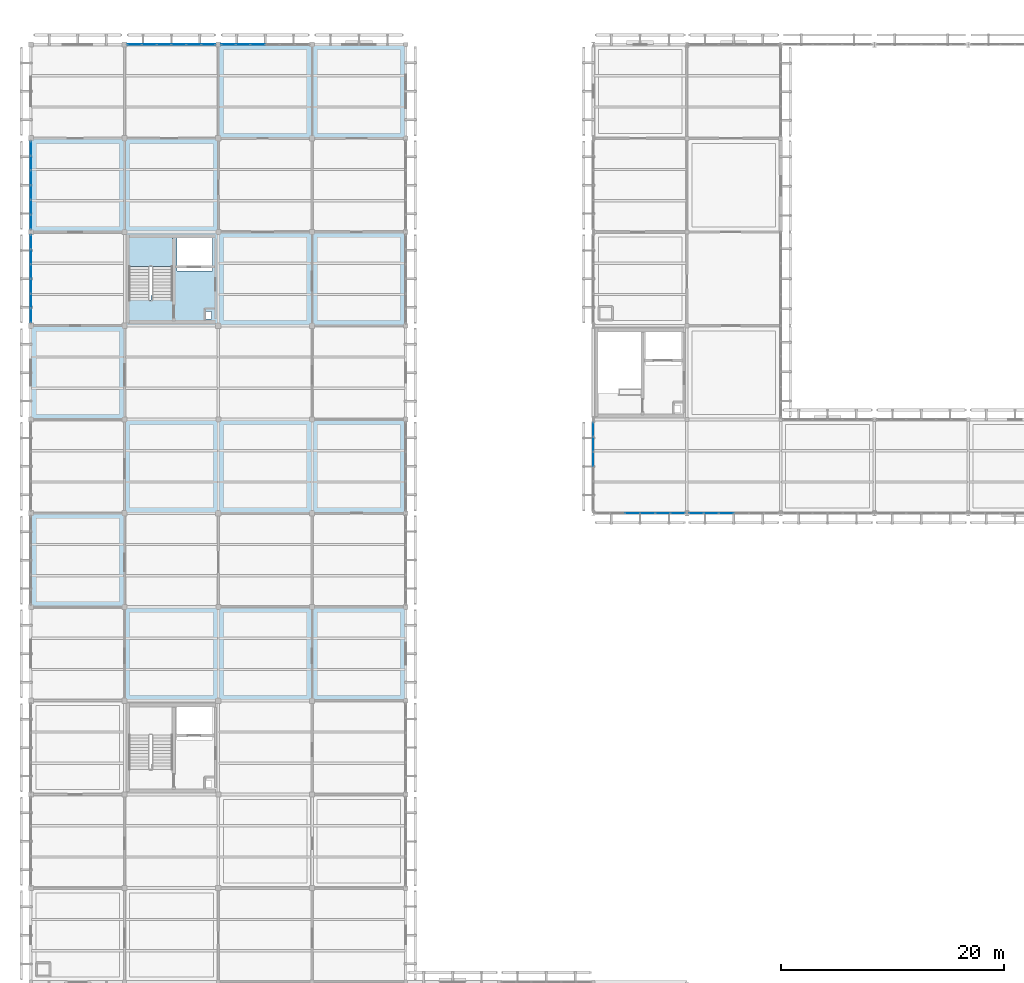
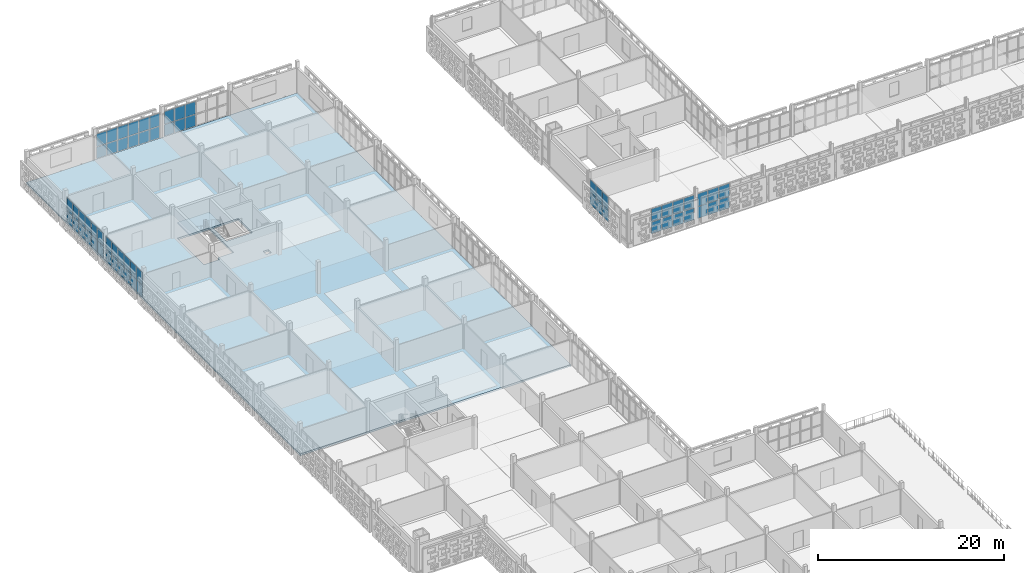
# One storey, part 74 of 140: 62 plates, 2 slabs, 8 elements without a shape of their own.
"""IFC4 building model written with IfcOpenShell, lengths in metres."""

from ifc_helpers import new_model, si_unit, direction, frame, origin, origin_2d, place, context, subcontext, project, spatial, polyline, rectangle, outline, extrude, material, layer, layer_set, type_object, element, aggregate, save


model = new_model("IFC4")

# Units and contexts
model_context = context("Model", 3, precision=1e-05, world=origin(), true_north=direction((0.0, 1.0)))
body_context = subcontext(model_context, "Body", "Model", "MODEL_VIEW")
ifc_project = project(units=[si_unit("LENGTHUNIT", "METRE"), si_unit("AREAUNIT", "SQUARE_METRE"), si_unit("VOLUMEUNIT", "CUBIC_METRE"), si_unit("PLANEANGLEUNIT", "RADIAN"), si_unit("MASSUNIT", "GRAM", prefix="KILO")], contexts=[model_context])

# Site, building, storey
site_placement = place(None, origin())
site = spatial("IfcSite", under=ifc_project, at=site_placement, CompositionType="ELEMENT")
building_placement = place(site_placement, origin())
building = spatial("IfcBuilding", under=site, at=building_placement, Name="Varnapada Polytechnic", CompositionType="ELEMENT")
storey_placement = place(building_placement, frame((0.0, 0.0, 13.800048828125)))
storey = spatial("IfcBuildingStorey", under=building, at=storey_placement, Name="L03", CompositionType="ELEMENT", Elevation=13.800048828125)

# Curtain wall, plates
ifc_material_1 = material(Name="Double low-E laminated glass", Category="glass")
ifc_layer_1 = layer(ifc_material_1, 0.159912109375)
ifc_layer_set_1 = layer_set([ifc_layer_1], Name="Double low-E laminated glass")
curtain_wall_type_1 = type_object("IfcCurtainWallType", Name="Curtain Wall CW-01", PredefinedType="NOTDEFINED", material=ifc_layer_set_1)
curtain_wall_1_placement = place(storey_placement, origin())
curtain_wall_1 = element("IfcCurtainWall", 1, at=curtain_wall_1_placement, inside=storey, type_object=curtain_wall_type_1, Name="L03 unitised curtain wall CW-01 (225)", PredefinedType="NOTDEFINED")
ifc_layer_2 = layer(ifc_material_1, 0.028076171875)
ifc_layer_set_2 = layer_set([ifc_layer_2], Name="Double low-E laminated glass")
plate_type_1 = type_object("IfcPlateType", Name="Curtain Panel PNL-01", PredefinedType="CURTAIN_PANEL", material=ifc_layer_set_2)
plate_1_placement = place(storey_placement, frame((57.9599609375, 84.0, 0.06005859375), z_axis=(0.0, 0.0, 1.0), x_axis=(-1.0, 0.0, 0.0)))
plate_1 = element("IfcPlate", 2, at=plate_1_placement, type_object=plate_type_1, Name="CW-01 panel 1.1", PredefinedType="CURTAIN_PANEL", context=body_context, shape_type="SweptSolid", body=[
    extrude(rectangle(XDim=1.260009765625, YDim=0.028076171875, at=origin_2d()), origin(), (0.0, 0.0, 1.0), 1.522705078125),
])
plate_2_placement = place(storey_placement, frame((57.9599609375, 84.0, 1.642822265625), z_axis=(0.0, 0.0, 1.0), x_axis=(-1.0, 0.0, 0.0)))
plate_2 = element("IfcPlate", 3, at=plate_2_placement, type_object=plate_type_1, Name="CW-01 panel 1.2", PredefinedType="CURTAIN_PANEL", context=body_context, shape_type="SweptSolid", body=[
    extrude(rectangle(XDim=1.260009765625, YDim=0.028076171875, at=origin_2d()), origin(), (0.0, 0.0, 1.0), 1.6572265625),
])
plate_3_placement = place(storey_placement, frame((56.625, 84.0, 0.06005859375), z_axis=(0.0, 0.0, 1.0), x_axis=(-1.0, 0.0, 0.0)))
plate_3 = element("IfcPlate", 4, at=plate_3_placement, type_object=plate_type_1, Name="CW-01 panel 2.1", PredefinedType="CURTAIN_PANEL", context=body_context, shape_type="SweptSolid", body=[
    extrude(rectangle(XDim=1.2900390625, YDim=0.028076171875, at=origin_2d()), origin(), (0.0, 0.0, 1.0), 1.522705078125),
])
plate_4_placement = place(storey_placement, frame((56.625, 84.0, 1.642822265625), z_axis=(0.0, 0.0, 1.0), x_axis=(-1.0, 0.0, 0.0)))
plate_4 = element("IfcPlate", 5, at=plate_4_placement, type_object=plate_type_1, Name="CW-01 panel 2.2", PredefinedType="CURTAIN_PANEL", context=body_context, shape_type="SweptSolid", body=[
    extrude(rectangle(XDim=1.2900390625, YDim=0.028076171875, at=origin_2d()), origin(), (0.0, 0.0, 1.0), 1.6572265625),
])
plate_5_placement = place(storey_placement, frame((55.27490234375, 84.0, 0.06005859375), z_axis=(0.0, 0.0, 1.0), x_axis=(-1.0, 0.0, 0.0)))
plate_5 = element("IfcPlate", 6, at=plate_5_placement, type_object=plate_type_1, Name="CW-01 panel 3.1", PredefinedType="CURTAIN_PANEL", context=body_context, shape_type="SweptSolid", body=[
    extrude(rectangle(XDim=1.2900390625, YDim=0.028076171875, at=origin_2d()), origin(), (0.0, 0.0, 1.0), 1.522705078125),
])
plate_6_placement = place(storey_placement, frame((55.27490234375, 84.0, 1.642822265625), z_axis=(0.0, 0.0, 1.0), x_axis=(-1.0, 0.0, 0.0)))
plate_6 = element("IfcPlate", 7, at=plate_6_placement, type_object=plate_type_1, Name="CW-01 panel 3.2", PredefinedType="CURTAIN_PANEL", context=body_context, shape_type="SweptSolid", body=[
    extrude(rectangle(XDim=1.2900390625, YDim=0.028076171875, at=origin_2d()), origin(), (0.0, 0.0, 1.0), 1.6572265625),
])
plate_7_placement = place(storey_placement, frame((53.925048828125, 84.0, 0.06005859375), z_axis=(0.0, 0.0, 1.0), x_axis=(-1.0, 0.0, 0.0)))
plate_7 = element("IfcPlate", 8, at=plate_7_placement, type_object=plate_type_1, Name="CW-01 panel 4.1", PredefinedType="CURTAIN_PANEL", context=body_context, shape_type="SweptSolid", body=[
    extrude(rectangle(XDim=1.2900390625, YDim=0.028076171875, at=origin_2d()), origin(), (0.0, 0.0, 1.0), 1.522705078125),
])
plate_8_placement = place(storey_placement, frame((53.925048828125, 84.0, 1.642822265625), z_axis=(0.0, 0.0, 1.0), x_axis=(-1.0, 0.0, 0.0)))
plate_8 = element("IfcPlate", 9, at=plate_8_placement, type_object=plate_type_1, Name="CW-01 panel 4.2", PredefinedType="CURTAIN_PANEL", context=body_context, shape_type="SweptSolid", body=[
    extrude(rectangle(XDim=1.2900390625, YDim=0.028076171875, at=origin_2d()), origin(), (0.0, 0.0, 1.0), 1.6572265625),
])
aggregate(curtain_wall_1, [plate_1, plate_2, plate_3, plate_4, plate_5, plate_6, plate_7, plate_8])

ifc_layer_3 = layer(ifc_material_1, 0.159912109375)
ifc_layer_set_3 = layer_set([ifc_layer_3], Name="Double low-E laminated glass")
curtain_wall_type_2 = type_object("IfcCurtainWallType", Name="Curtain Wall CW-02", PredefinedType="NOTDEFINED", material=ifc_layer_set_3)
curtain_wall_2_placement = place(storey_placement, origin())
curtain_wall_2 = element("IfcCurtainWall", 10, at=curtain_wall_2_placement, inside=storey, type_object=curtain_wall_type_2, Name="L03 unitised curtain wall CW-02 (226)", PredefinedType="NOTDEFINED")
plate_9_placement = place(storey_placement, frame((50.39990234375, 88.85205078125, 0.06005859375), z_axis=(0.0, 0.0, 1.0), x_axis=(0.0, 1.0, 0.0)))
plate_9 = element("IfcPlate", 11, at=plate_9_placement, type_object=plate_type_1, Name="CW-02 panel 4.1", PredefinedType="CURTAIN_PANEL", context=body_context, shape_type="SweptSolid", body=[
    extrude(rectangle(XDim=1.269287109375, YDim=0.028076171875, at=origin_2d()), origin(), (0.0, 0.0, 1.0), 1.522705078125),
])
plate_10_placement = place(storey_placement, frame((50.39990234375, 88.85205078125, 1.642822265625), z_axis=(0.0, 0.0, 1.0), x_axis=(0.0, 1.0, 0.0)))
plate_10 = element("IfcPlate", 12, at=plate_10_placement, type_object=plate_type_1, Name="CW-02 panel 4.2", PredefinedType="CURTAIN_PANEL", context=body_context, shape_type="SweptSolid", body=[
    extrude(rectangle(XDim=1.269287109375, YDim=0.028076171875, at=origin_2d()), origin(), (0.0, 0.0, 1.0), 1.6572265625),
])
plate_11_placement = place(storey_placement, frame((50.39990234375, 90.18115234375, 0.06005859375), z_axis=(0.0, 0.0, 1.0), x_axis=(0.0, 1.0, 0.0)))
plate_11 = element("IfcPlate", 13, at=plate_11_placement, type_object=plate_type_1, Name="CW-02 panel 5.1", PredefinedType="CURTAIN_PANEL", context=body_context, shape_type="SweptSolid", body=[
    extrude(rectangle(XDim=1.269287109375, YDim=0.028076171875, at=origin_2d()), origin(), (0.0, 0.0, 1.0), 1.522705078125),
])
plate_12_placement = place(storey_placement, frame((50.39990234375, 90.18115234375, 1.642822265625), z_axis=(0.0, 0.0, 1.0), x_axis=(0.0, 1.0, 0.0)))
plate_12 = element("IfcPlate", 14, at=plate_12_placement, type_object=plate_type_1, Name="CW-02 panel 5.2", PredefinedType="CURTAIN_PANEL", context=body_context, shape_type="SweptSolid", body=[
    extrude(rectangle(XDim=1.269287109375, YDim=0.028076171875, at=origin_2d()), origin(), (0.0, 0.0, 1.0), 1.6572265625),
])
plate_13_placement = place(storey_placement, frame((50.39990234375, 91.495361328125, 0.06005859375), z_axis=(0.0, 0.0, 1.0), x_axis=(0.0, 1.0, 0.0)))
plate_13 = element("IfcPlate", 15, at=plate_13_placement, type_object=plate_type_1, Name="CW-02 panel 6.1", PredefinedType="CURTAIN_PANEL", context=body_context, shape_type="SweptSolid", body=[
    extrude(rectangle(XDim=1.2392578125, YDim=0.028076171875, at=origin_2d()), origin(), (0.0, 0.0, 1.0), 1.522705078125),
])
plate_14_placement = place(storey_placement, frame((50.39990234375, 91.495361328125, 1.642822265625), z_axis=(0.0, 0.0, 1.0), x_axis=(0.0, 1.0, 0.0)))
plate_14 = element("IfcPlate", 16, at=plate_14_placement, type_object=plate_type_1, Name="CW-02 panel 6.2", PredefinedType="CURTAIN_PANEL", context=body_context, shape_type="SweptSolid", body=[
    extrude(rectangle(XDim=1.2392578125, YDim=0.028076171875, at=origin_2d()), origin(), (0.0, 0.0, 1.0), 1.6572265625),
])
aggregate(curtain_wall_2, [plate_9, plate_10, plate_11, plate_12, plate_13, plate_14])

curtain_wall_3_placement = place(storey_placement, origin())
curtain_wall_3 = element("IfcCurtainWall", 17, at=curtain_wall_3_placement, inside=storey, type_object=curtain_wall_type_1, Name="L03 unitised curtain wall CW-01 (229)", PredefinedType="NOTDEFINED")
plate_15_placement = place(storey_placement, frame((62.324951171875, 84.0, 0.06005859375), z_axis=(0.0, 0.0, 1.0), x_axis=(-1.0, 0.0, 0.0)))
plate_15 = element("IfcPlate", 18, at=plate_15_placement, type_object=plate_type_1, Name="CW-01 panel 4.1", PredefinedType="CURTAIN_PANEL", context=body_context, shape_type="SweptSolid", body=[
    extrude(rectangle(XDim=1.2900390625, YDim=0.028076171875, at=origin_2d()), origin(), (0.0, 0.0, 1.0), 1.522705078125),
])
plate_16_placement = place(storey_placement, frame((62.324951171875, 84.0, 1.642822265625), z_axis=(0.0, 0.0, 1.0), x_axis=(-1.0, 0.0, 0.0)))
plate_16 = element("IfcPlate", 19, at=plate_16_placement, type_object=plate_type_1, Name="CW-01 panel 4.2", PredefinedType="CURTAIN_PANEL", context=body_context, shape_type="SweptSolid", body=[
    extrude(rectangle(XDim=1.2900390625, YDim=0.028076171875, at=origin_2d()), origin(), (0.0, 0.0, 1.0), 1.6572265625),
])
plate_17_placement = place(storey_placement, frame((60.97509765625, 84.0, 0.06005859375), z_axis=(0.0, 0.0, 1.0), x_axis=(-1.0, 0.0, 0.0)))
plate_17 = element("IfcPlate", 20, at=plate_17_placement, type_object=plate_type_1, Name="CW-01 panel 5.1", PredefinedType="CURTAIN_PANEL", context=body_context, shape_type="SweptSolid", body=[
    extrude(rectangle(XDim=1.2900390625, YDim=0.028076171875, at=origin_2d()), origin(), (0.0, 0.0, 1.0), 1.522705078125),
])
plate_18_placement = place(storey_placement, frame((60.97509765625, 84.0, 1.642822265625), z_axis=(0.0, 0.0, 1.0), x_axis=(-1.0, 0.0, 0.0)))
plate_18 = element("IfcPlate", 21, at=plate_18_placement, type_object=plate_type_1, Name="CW-01 panel 5.2", PredefinedType="CURTAIN_PANEL", context=body_context, shape_type="SweptSolid", body=[
    extrude(rectangle(XDim=1.2900390625, YDim=0.028076171875, at=origin_2d()), origin(), (0.0, 0.0, 1.0), 1.6572265625),
])
plate_19_placement = place(storey_placement, frame((59.639892578125, 84.0, 0.06005859375), z_axis=(0.0, 0.0, 1.0), x_axis=(-1.0, 0.0, 0.0)))
plate_19 = element("IfcPlate", 22, at=plate_19_placement, type_object=plate_type_1, Name="CW-01 panel 6.1", PredefinedType="CURTAIN_PANEL", context=body_context, shape_type="SweptSolid", body=[
    extrude(rectangle(XDim=1.260009765625, YDim=0.028076171875, at=origin_2d()), origin(), (0.0, 0.0, 1.0), 1.522705078125),
])
plate_20_placement = place(storey_placement, frame((59.639892578125, 84.0, 1.642822265625), z_axis=(0.0, 0.0, 1.0), x_axis=(-1.0, 0.0, 0.0)))
plate_20 = element("IfcPlate", 23, at=plate_20_placement, type_object=plate_type_1, Name="CW-01 panel 6.2", PredefinedType="CURTAIN_PANEL", context=body_context, shape_type="SweptSolid", body=[
    extrude(rectangle(XDim=1.260009765625, YDim=0.028076171875, at=origin_2d()), origin(), (0.0, 0.0, 1.0), 1.6572265625),
])
aggregate(curtain_wall_3, [plate_15, plate_16, plate_17, plate_18, plate_19, plate_20])

ifc_layer_4 = layer(ifc_material_1, 0.179931640625)
ifc_layer_set_4 = layer_set([ifc_layer_4], Name="Double low-E laminated glass")
curtain_wall_type_3 = type_object("IfcCurtainWallType", Name="Curtain Wall CW-03", PredefinedType="NOTDEFINED", material=ifc_layer_set_4)
curtain_wall_4_placement = place(storey_placement, origin())
curtain_wall_4 = element("IfcCurtainWall", 24, at=curtain_wall_4_placement, inside=storey, type_object=curtain_wall_type_3, Name="L03 unitised curtain wall CW-03 (209)", PredefinedType="NOTDEFINED")
ifc_layer_5 = layer(ifc_material_1, 0.031982421875)
ifc_layer_set_5 = layer_set([ifc_layer_5], Name="Double low-E laminated glass")
plate_type_2 = type_object("IfcPlateType", Name="Curtain Panel PNL-02", PredefinedType="CURTAIN_PANEL", material=ifc_layer_set_5)
plate_21_placement = place(storey_placement, frame((0.0, 101.708740234375, 0.06494140625), z_axis=(0.0, 0.0, 1.0), x_axis=(0.0, 1.0, 0.0)))
plate_21 = element("IfcPlate", 25, at=plate_21_placement, type_object=plate_type_2, Name="CW-03 panel 1.1", PredefinedType="CURTAIN_PANEL", context=body_context, shape_type="SweptSolid", body=[
    extrude(rectangle(XDim=1.2275390625, YDim=0.031982421875, at=origin_2d()), origin(), (0.0, 0.0, 1.0), 1.515380859375),
])
plate_22_placement = place(storey_placement, frame((0.0, 101.708740234375, 1.6455078125), z_axis=(0.0, 0.0, 1.0), x_axis=(0.0, 1.0, 0.0)))
plate_22 = element("IfcPlate", 26, at=plate_22_placement, type_object=plate_type_2, Name="CW-03 panel 1.2", PredefinedType="CURTAIN_PANEL", context=body_context, shape_type="SweptSolid", body=[
    extrude(rectangle(XDim=1.2275390625, YDim=0.031982421875, at=origin_2d()), origin(), (0.0, 0.0, 1.0), 1.649658203125),
])
plate_23_placement = place(storey_placement, frame((0.0, 103.017578125, 0.06494140625), z_axis=(0.0, 0.0, 1.0), x_axis=(0.0, 1.0, 0.0)))
plate_23 = element("IfcPlate", 27, at=plate_23_placement, type_object=plate_type_2, Name="CW-03 panel 2.1", PredefinedType="CURTAIN_PANEL", context=body_context, shape_type="SweptSolid", body=[
    extrude(rectangle(XDim=1.260009765625, YDim=0.031982421875, at=origin_2d()), origin(), (0.0, 0.0, 1.0), 1.515380859375),
])
plate_24_placement = place(storey_placement, frame((0.0, 103.017578125, 1.6455078125), z_axis=(0.0, 0.0, 1.0), x_axis=(0.0, 1.0, 0.0)))
plate_24 = element("IfcPlate", 28, at=plate_24_placement, type_object=plate_type_2, Name="CW-03 panel 2.2", PredefinedType="CURTAIN_PANEL", context=body_context, shape_type="SweptSolid", body=[
    extrude(rectangle(XDim=1.260009765625, YDim=0.031982421875, at=origin_2d()), origin(), (0.0, 0.0, 1.0), 1.649658203125),
])
plate_25_placement = place(storey_placement, frame((0.0, 104.342529296875, 0.06494140625), z_axis=(0.0, 0.0, 1.0), x_axis=(0.0, 1.0, 0.0)))
plate_25 = element("IfcPlate", 29, at=plate_25_placement, type_object=plate_type_2, Name="CW-03 panel 3.1", PredefinedType="CURTAIN_PANEL", context=body_context, shape_type="SweptSolid", body=[
    extrude(rectangle(XDim=1.260009765625, YDim=0.031982421875, at=origin_2d()), origin(), (0.0, 0.0, 1.0), 1.515380859375),
])
plate_26_placement = place(storey_placement, frame((0.0, 104.342529296875, 1.6455078125), z_axis=(0.0, 0.0, 1.0), x_axis=(0.0, 1.0, 0.0)))
plate_26 = element("IfcPlate", 30, at=plate_26_placement, type_object=plate_type_2, Name="CW-03 panel 3.2", PredefinedType="CURTAIN_PANEL", context=body_context, shape_type="SweptSolid", body=[
    extrude(rectangle(XDim=1.260009765625, YDim=0.031982421875, at=origin_2d()), origin(), (0.0, 0.0, 1.0), 1.649658203125),
])
plate_27_placement = place(storey_placement, frame((0.0, 105.66748046875, 0.06494140625), z_axis=(0.0, 0.0, 1.0), x_axis=(0.0, 1.0, 0.0)))
plate_27 = element("IfcPlate", 31, at=plate_27_placement, type_object=plate_type_2, Name="CW-03 panel 4.1", PredefinedType="CURTAIN_PANEL", context=body_context, shape_type="SweptSolid", body=[
    extrude(rectangle(XDim=1.260009765625, YDim=0.031982421875, at=origin_2d()), origin(), (0.0, 0.0, 1.0), 1.515380859375),
])
plate_28_placement = place(storey_placement, frame((0.0, 105.66748046875, 1.6455078125), z_axis=(0.0, 0.0, 1.0), x_axis=(0.0, 1.0, 0.0)))
plate_28 = element("IfcPlate", 32, at=plate_28_placement, type_object=plate_type_2, Name="CW-03 panel 4.2", PredefinedType="CURTAIN_PANEL", context=body_context, shape_type="SweptSolid", body=[
    extrude(rectangle(XDim=1.260009765625, YDim=0.031982421875, at=origin_2d()), origin(), (0.0, 0.0, 1.0), 1.649658203125),
])
plate_29_placement = place(storey_placement, frame((0.0, 106.992431640625, 0.06494140625), z_axis=(0.0, 0.0, 1.0), x_axis=(0.0, 1.0, 0.0)))
plate_29 = element("IfcPlate", 33, at=plate_29_placement, type_object=plate_type_2, Name="CW-03 panel 5.1", PredefinedType="CURTAIN_PANEL", context=body_context, shape_type="SweptSolid", body=[
    extrude(rectangle(XDim=1.260009765625, YDim=0.031982421875, at=origin_2d()), origin(), (0.0, 0.0, 1.0), 1.515380859375),
])
plate_30_placement = place(storey_placement, frame((0.0, 106.992431640625, 1.6455078125), z_axis=(0.0, 0.0, 1.0), x_axis=(0.0, 1.0, 0.0)))
plate_30 = element("IfcPlate", 34, at=plate_30_placement, type_object=plate_type_2, Name="CW-03 panel 5.2", PredefinedType="CURTAIN_PANEL", context=body_context, shape_type="SweptSolid", body=[
    extrude(rectangle(XDim=1.260009765625, YDim=0.031982421875, at=origin_2d()), origin(), (0.0, 0.0, 1.0), 1.649658203125),
])
plate_31_placement = place(storey_placement, frame((0.0, 108.30126953125, 0.06494140625), z_axis=(0.0, 0.0, 1.0), x_axis=(0.0, 1.0, 0.0)))
plate_31 = element("IfcPlate", 35, at=plate_31_placement, type_object=plate_type_2, Name="CW-03 panel 6.1", PredefinedType="CURTAIN_PANEL", context=body_context, shape_type="SweptSolid", body=[
    extrude(rectangle(XDim=1.2275390625, YDim=0.031982421875, at=origin_2d()), origin(), (0.0, 0.0, 1.0), 1.515380859375),
])
plate_32_placement = place(storey_placement, frame((0.0, 108.30126953125, 1.6455078125), z_axis=(0.0, 0.0, 1.0), x_axis=(0.0, 1.0, 0.0)))
plate_32 = element("IfcPlate", 36, at=plate_32_placement, type_object=plate_type_2, Name="CW-03 panel 6.2", PredefinedType="CURTAIN_PANEL", context=body_context, shape_type="SweptSolid", body=[
    extrude(rectangle(XDim=1.2275390625, YDim=0.031982421875, at=origin_2d()), origin(), (0.0, 0.0, 1.0), 1.649658203125),
])
aggregate(curtain_wall_4, [plate_21, plate_22, plate_23, plate_24, plate_25, plate_26, plate_27, plate_28, plate_29, plate_30, plate_31, plate_32])

curtain_wall_5_placement = place(storey_placement, origin())
curtain_wall_5 = element("IfcCurtainWall", 37, at=curtain_wall_5_placement, inside=storey, type_object=curtain_wall_type_3, Name="L03 unitised curtain wall CW-03 (210)", PredefinedType="NOTDEFINED")
plate_33_placement = place(storey_placement, frame((0.0, 110.0986328125, 0.06494140625), z_axis=(0.0, 0.0, 1.0), x_axis=(0.0, 1.0, 0.0)))
plate_33 = element("IfcPlate", 38, at=plate_33_placement, type_object=plate_type_2, Name="CW-03 panel 1.1", PredefinedType="CURTAIN_PANEL", context=body_context, shape_type="SweptSolid", body=[
    extrude(rectangle(XDim=1.2275390625, YDim=0.031982421875, at=origin_2d()), origin(), (0.0, 0.0, 1.0), 1.515380859375),
])
plate_34_placement = place(storey_placement, frame((0.0, 110.0986328125, 1.6455078125), z_axis=(0.0, 0.0, 1.0), x_axis=(0.0, 1.0, 0.0)))
plate_34 = element("IfcPlate", 39, at=plate_34_placement, type_object=plate_type_2, Name="CW-03 panel 1.2", PredefinedType="CURTAIN_PANEL", context=body_context, shape_type="SweptSolid", body=[
    extrude(rectangle(XDim=1.2275390625, YDim=0.031982421875, at=origin_2d()), origin(), (0.0, 0.0, 1.0), 1.649658203125),
])
plate_35_placement = place(storey_placement, frame((0.0, 111.407470703125, 0.06494140625), z_axis=(0.0, 0.0, 1.0), x_axis=(0.0, 1.0, 0.0)))
plate_35 = element("IfcPlate", 40, at=plate_35_placement, type_object=plate_type_2, Name="CW-03 panel 2.1", PredefinedType="CURTAIN_PANEL", context=body_context, shape_type="SweptSolid", body=[
    extrude(rectangle(XDim=1.260009765625, YDim=0.031982421875, at=origin_2d()), origin(), (0.0, 0.0, 1.0), 1.515380859375),
])
plate_36_placement = place(storey_placement, frame((0.0, 111.407470703125, 1.6455078125), z_axis=(0.0, 0.0, 1.0), x_axis=(0.0, 1.0, 0.0)))
plate_36 = element("IfcPlate", 41, at=plate_36_placement, type_object=plate_type_2, Name="CW-03 panel 2.2", PredefinedType="CURTAIN_PANEL", context=body_context, shape_type="SweptSolid", body=[
    extrude(rectangle(XDim=1.260009765625, YDim=0.031982421875, at=origin_2d()), origin(), (0.0, 0.0, 1.0), 1.649658203125),
])
plate_37_placement = place(storey_placement, frame((0.0, 112.732421875, 0.06494140625), z_axis=(0.0, 0.0, 1.0), x_axis=(0.0, 1.0, 0.0)))
plate_37 = element("IfcPlate", 42, at=plate_37_placement, type_object=plate_type_2, Name="CW-03 panel 3.1", PredefinedType="CURTAIN_PANEL", context=body_context, shape_type="SweptSolid", body=[
    extrude(rectangle(XDim=1.260009765625, YDim=0.031982421875, at=origin_2d()), origin(), (0.0, 0.0, 1.0), 1.515380859375),
])
plate_38_placement = place(storey_placement, frame((0.0, 112.732421875, 1.6455078125), z_axis=(0.0, 0.0, 1.0), x_axis=(0.0, 1.0, 0.0)))
plate_38 = element("IfcPlate", 43, at=plate_38_placement, type_object=plate_type_2, Name="CW-03 panel 3.2", PredefinedType="CURTAIN_PANEL", context=body_context, shape_type="SweptSolid", body=[
    extrude(rectangle(XDim=1.260009765625, YDim=0.031982421875, at=origin_2d()), origin(), (0.0, 0.0, 1.0), 1.649658203125),
])
plate_39_placement = place(storey_placement, frame((0.0, 114.0576171875, 0.06494140625), z_axis=(0.0, 0.0, 1.0), x_axis=(0.0, 1.0, 0.0)))
plate_39 = element("IfcPlate", 44, at=plate_39_placement, type_object=plate_type_2, Name="CW-03 panel 4.1", PredefinedType="CURTAIN_PANEL", context=body_context, shape_type="SweptSolid", body=[
    extrude(rectangle(XDim=1.260009765625, YDim=0.031982421875, at=origin_2d()), origin(), (0.0, 0.0, 1.0), 1.515380859375),
])
plate_40_placement = place(storey_placement, frame((0.0, 114.0576171875, 1.6455078125), z_axis=(0.0, 0.0, 1.0), x_axis=(0.0, 1.0, 0.0)))
plate_40 = element("IfcPlate", 45, at=plate_40_placement, type_object=plate_type_2, Name="CW-03 panel 4.2", PredefinedType="CURTAIN_PANEL", context=body_context, shape_type="SweptSolid", body=[
    extrude(rectangle(XDim=1.260009765625, YDim=0.031982421875, at=origin_2d()), origin(), (0.0, 0.0, 1.0), 1.649658203125),
])
plate_41_placement = place(storey_placement, frame((0.0, 115.382568359375, 0.06494140625), z_axis=(0.0, 0.0, 1.0), x_axis=(0.0, 1.0, 0.0)))
plate_41 = element("IfcPlate", 46, at=plate_41_placement, type_object=plate_type_2, Name="CW-03 panel 5.1", PredefinedType="CURTAIN_PANEL", context=body_context, shape_type="SweptSolid", body=[
    extrude(rectangle(XDim=1.260009765625, YDim=0.031982421875, at=origin_2d()), origin(), (0.0, 0.0, 1.0), 1.515380859375),
])
plate_42_placement = place(storey_placement, frame((0.0, 115.382568359375, 1.6455078125), z_axis=(0.0, 0.0, 1.0), x_axis=(0.0, 1.0, 0.0)))
plate_42 = element("IfcPlate", 47, at=plate_42_placement, type_object=plate_type_2, Name="CW-03 panel 5.2", PredefinedType="CURTAIN_PANEL", context=body_context, shape_type="SweptSolid", body=[
    extrude(rectangle(XDim=1.260009765625, YDim=0.031982421875, at=origin_2d()), origin(), (0.0, 0.0, 1.0), 1.649658203125),
])
plate_43_placement = place(storey_placement, frame((0.0, 116.691162109375, 0.06494140625), z_axis=(0.0, 0.0, 1.0), x_axis=(0.0, 1.0, 0.0)))
plate_43 = element("IfcPlate", 48, at=plate_43_placement, type_object=plate_type_2, Name="CW-03 panel 6.1", PredefinedType="CURTAIN_PANEL", context=body_context, shape_type="SweptSolid", body=[
    extrude(rectangle(XDim=1.2275390625, YDim=0.031982421875, at=origin_2d()), origin(), (0.0, 0.0, 1.0), 1.515380859375),
])
plate_44_placement = place(storey_placement, frame((0.0, 116.691162109375, 1.6455078125), z_axis=(0.0, 0.0, 1.0), x_axis=(0.0, 1.0, 0.0)))
plate_44 = element("IfcPlate", 49, at=plate_44_placement, type_object=plate_type_2, Name="CW-03 panel 6.2", PredefinedType="CURTAIN_PANEL", context=body_context, shape_type="SweptSolid", body=[
    extrude(rectangle(XDim=1.2275390625, YDim=0.031982421875, at=origin_2d()), origin(), (0.0, 0.0, 1.0), 1.649658203125),
])
aggregate(curtain_wall_5, [plate_33, plate_34, plate_35, plate_36, plate_37, plate_38, plate_39, plate_40, plate_41, plate_42, plate_43, plate_44])

curtain_wall_6_placement = place(storey_placement, origin())
curtain_wall_6 = element("IfcCurtainWall", 50, at=curtain_wall_6_placement, inside=storey, type_object=curtain_wall_type_3, Name="L03 unitised curtain wall CW-03 (213)", PredefinedType="NOTDEFINED")
plate_45_placement = place(storey_placement, frame((9.299560546875, 126.0, 0.06494140625), z_axis=(0.0, 0.0, 1.0), x_axis=(1.0, 0.0, 0.0)))
plate_45 = element("IfcPlate", 51, at=plate_45_placement, type_object=plate_type_2, Name="CW-03 panel 1.1", PredefinedType="CURTAIN_PANEL", context=body_context, shape_type="SweptSolid", body=[
    extrude(rectangle(XDim=1.229248046875, YDim=0.031982421875, at=origin_2d()), origin(), (0.0, 0.0, 1.0), 1.515380859375),
])
plate_46_placement = place(storey_placement, frame((9.299560546875, 126.0, 1.6455078125), z_axis=(0.0, 0.0, 1.0), x_axis=(1.0, 0.0, 0.0)))
plate_46 = element("IfcPlate", 52, at=plate_46_placement, type_object=plate_type_2, Name="CW-03 panel 1.2", PredefinedType="CURTAIN_PANEL", context=body_context, shape_type="SweptSolid", body=[
    extrude(rectangle(XDim=1.229248046875, YDim=0.031982421875, at=origin_2d()), origin(), (0.0, 0.0, 1.0), 1.649658203125),
])
plate_47_placement = place(storey_placement, frame((10.610107421875, 126.0, 0.06494140625), z_axis=(0.0, 0.0, 1.0), x_axis=(1.0, 0.0, 0.0)))
plate_47 = element("IfcPlate", 53, at=plate_47_placement, type_object=plate_type_2, Name="CW-03 panel 2.1", PredefinedType="CURTAIN_PANEL", context=body_context, shape_type="SweptSolid", body=[
    extrude(rectangle(XDim=1.26171875, YDim=0.031982421875, at=origin_2d()), origin(), (0.0, 0.0, 1.0), 1.515380859375),
])
plate_48_placement = place(storey_placement, frame((10.610107421875, 126.0, 1.6455078125), z_axis=(0.0, 0.0, 1.0), x_axis=(1.0, 0.0, 0.0)))
plate_48 = element("IfcPlate", 54, at=plate_48_placement, type_object=plate_type_2, Name="CW-03 panel 2.2", PredefinedType="CURTAIN_PANEL", context=body_context, shape_type="SweptSolid", body=[
    extrude(rectangle(XDim=1.26171875, YDim=0.031982421875, at=origin_2d()), origin(), (0.0, 0.0, 1.0), 1.649658203125),
])
plate_49_placement = place(storey_placement, frame((11.936767578125, 126.0, 0.06494140625), z_axis=(0.0, 0.0, 1.0), x_axis=(1.0, 0.0, 0.0)))
plate_49 = element("IfcPlate", 55, at=plate_49_placement, type_object=plate_type_2, Name="CW-03 panel 3.1", PredefinedType="CURTAIN_PANEL", context=body_context, shape_type="SweptSolid", body=[
    extrude(rectangle(XDim=1.26171875, YDim=0.031982421875, at=origin_2d()), origin(), (0.0, 0.0, 1.0), 1.515380859375),
])
plate_50_placement = place(storey_placement, frame((11.936767578125, 126.0, 1.6455078125), z_axis=(0.0, 0.0, 1.0), x_axis=(1.0, 0.0, 0.0)))
plate_50 = element("IfcPlate", 56, at=plate_50_placement, type_object=plate_type_2, Name="CW-03 panel 3.2", PredefinedType="CURTAIN_PANEL", context=body_context, shape_type="SweptSolid", body=[
    extrude(rectangle(XDim=1.26171875, YDim=0.031982421875, at=origin_2d()), origin(), (0.0, 0.0, 1.0), 1.649658203125),
])
plate_51_placement = place(storey_placement, frame((13.263427734375, 126.0, 0.06494140625), z_axis=(0.0, 0.0, 1.0), x_axis=(1.0, 0.0, 0.0)))
plate_51 = element("IfcPlate", 57, at=plate_51_placement, type_object=plate_type_2, Name="CW-03 panel 4.1", PredefinedType="CURTAIN_PANEL", context=body_context, shape_type="SweptSolid", body=[
    extrude(rectangle(XDim=1.26171875, YDim=0.031982421875, at=origin_2d()), origin(), (0.0, 0.0, 1.0), 1.515380859375),
])
plate_52_placement = place(storey_placement, frame((13.263427734375, 126.0, 1.6455078125), z_axis=(0.0, 0.0, 1.0), x_axis=(1.0, 0.0, 0.0)))
plate_52 = element("IfcPlate", 58, at=plate_52_placement, type_object=plate_type_2, Name="CW-03 panel 4.2", PredefinedType="CURTAIN_PANEL", context=body_context, shape_type="SweptSolid", body=[
    extrude(rectangle(XDim=1.26171875, YDim=0.031982421875, at=origin_2d()), origin(), (0.0, 0.0, 1.0), 1.649658203125),
])
plate_53_placement = place(storey_placement, frame((14.590087890625, 126.0, 0.06494140625), z_axis=(0.0, 0.0, 1.0), x_axis=(1.0, 0.0, 0.0)))
plate_53 = element("IfcPlate", 59, at=plate_53_placement, type_object=plate_type_2, Name="CW-03 panel 5.1", PredefinedType="CURTAIN_PANEL", context=body_context, shape_type="SweptSolid", body=[
    extrude(rectangle(XDim=1.26171875, YDim=0.031982421875, at=origin_2d()), origin(), (0.0, 0.0, 1.0), 1.515380859375),
])
plate_54_placement = place(storey_placement, frame((14.590087890625, 126.0, 1.6455078125), z_axis=(0.0, 0.0, 1.0), x_axis=(1.0, 0.0, 0.0)))
plate_54 = element("IfcPlate", 60, at=plate_54_placement, type_object=plate_type_2, Name="CW-03 panel 5.2", PredefinedType="CURTAIN_PANEL", context=body_context, shape_type="SweptSolid", body=[
    extrude(rectangle(XDim=1.26171875, YDim=0.031982421875, at=origin_2d()), origin(), (0.0, 0.0, 1.0), 1.649658203125),
])
plate_55_placement = place(storey_placement, frame((15.900390625, 126.0, 0.06494140625), z_axis=(0.0, 0.0, 1.0), x_axis=(1.0, 0.0, 0.0)))
plate_55 = element("IfcPlate", 61, at=plate_55_placement, type_object=plate_type_2, Name="CW-03 panel 6.1", PredefinedType="CURTAIN_PANEL", context=body_context, shape_type="SweptSolid", body=[
    extrude(rectangle(XDim=1.229248046875, YDim=0.031982421875, at=origin_2d()), origin(), (0.0, 0.0, 1.0), 1.515380859375),
])
plate_56_placement = place(storey_placement, frame((15.900390625, 126.0, 1.6455078125), z_axis=(0.0, 0.0, 1.0), x_axis=(1.0, 0.0, 0.0)))
plate_56 = element("IfcPlate", 62, at=plate_56_placement, type_object=plate_type_2, Name="CW-03 panel 6.2", PredefinedType="CURTAIN_PANEL", context=body_context, shape_type="SweptSolid", body=[
    extrude(rectangle(XDim=1.229248046875, YDim=0.031982421875, at=origin_2d()), origin(), (0.0, 0.0, 1.0), 1.649658203125),
])
aggregate(curtain_wall_6, [plate_45, plate_46, plate_47, plate_48, plate_49, plate_50, plate_51, plate_52, plate_53, plate_54, plate_55, plate_56])

curtain_wall_7_placement = place(storey_placement, origin())
curtain_wall_7 = element("IfcCurtainWall", 63, at=curtain_wall_7_placement, inside=storey, type_object=curtain_wall_type_3, Name="L03 unitised curtain wall CW-03 (215)", PredefinedType="NOTDEFINED")
plate_57_placement = place(storey_placement, frame((17.699462890625, 126.0, 0.06494140625), z_axis=(0.0, 0.0, 1.0), x_axis=(1.0, 0.0, 0.0)))
plate_57 = element("IfcPlate", 64, at=plate_57_placement, type_object=plate_type_2, Name="CW-03 panel 1.1", PredefinedType="CURTAIN_PANEL", context=body_context, shape_type="SweptSolid", body=[
    extrude(rectangle(XDim=1.229248046875, YDim=0.031982421875, at=origin_2d()), origin(), (0.0, 0.0, 1.0), 1.515380859375),
])
plate_58_placement = place(storey_placement, frame((17.699462890625, 126.0, 1.6455078125), z_axis=(0.0, 0.0, 1.0), x_axis=(1.0, 0.0, 0.0)))
plate_58 = element("IfcPlate", 65, at=plate_58_placement, type_object=plate_type_2, Name="CW-03 panel 1.2", PredefinedType="CURTAIN_PANEL", context=body_context, shape_type="SweptSolid", body=[
    extrude(rectangle(XDim=1.229248046875, YDim=0.031982421875, at=origin_2d()), origin(), (0.0, 0.0, 1.0), 1.649658203125),
])
plate_59_placement = place(storey_placement, frame((19.010009765625, 126.0, 0.06494140625), z_axis=(0.0, 0.0, 1.0), x_axis=(1.0, 0.0, 0.0)))
plate_59 = element("IfcPlate", 66, at=plate_59_placement, type_object=plate_type_2, Name="CW-03 panel 2.1", PredefinedType="CURTAIN_PANEL", context=body_context, shape_type="SweptSolid", body=[
    extrude(rectangle(XDim=1.26171875, YDim=0.031982421875, at=origin_2d()), origin(), (0.0, 0.0, 1.0), 1.515380859375),
])
plate_60_placement = place(storey_placement, frame((19.010009765625, 126.0, 1.6455078125), z_axis=(0.0, 0.0, 1.0), x_axis=(1.0, 0.0, 0.0)))
plate_60 = element("IfcPlate", 67, at=plate_60_placement, type_object=plate_type_2, Name="CW-03 panel 2.2", PredefinedType="CURTAIN_PANEL", context=body_context, shape_type="SweptSolid", body=[
    extrude(rectangle(XDim=1.26171875, YDim=0.031982421875, at=origin_2d()), origin(), (0.0, 0.0, 1.0), 1.649658203125),
])
plate_61_placement = place(storey_placement, frame((20.336669921875, 126.0, 0.06494140625), z_axis=(0.0, 0.0, 1.0), x_axis=(1.0, 0.0, 0.0)))
plate_61 = element("IfcPlate", 68, at=plate_61_placement, type_object=plate_type_2, Name="CW-03 panel 3.1", PredefinedType="CURTAIN_PANEL", context=body_context, shape_type="SweptSolid", body=[
    extrude(rectangle(XDim=1.26171875, YDim=0.031982421875, at=origin_2d()), origin(), (0.0, 0.0, 1.0), 1.515380859375),
])
plate_62_placement = place(storey_placement, frame((20.336669921875, 126.0, 1.6455078125), z_axis=(0.0, 0.0, 1.0), x_axis=(1.0, 0.0, 0.0)))
plate_62 = element("IfcPlate", 69, at=plate_62_placement, type_object=plate_type_2, Name="CW-03 panel 3.2", PredefinedType="CURTAIN_PANEL", context=body_context, shape_type="SweptSolid", body=[
    extrude(rectangle(XDim=1.26171875, YDim=0.031982421875, at=origin_2d()), origin(), (0.0, 0.0, 1.0), 1.649658203125),
])
aggregate(curtain_wall_7, [plate_57, plate_58, plate_59, plate_60, plate_61, plate_62])

# Slab
ifc_material_2 = material(Name="Cross-laminated timber CLT C24", Category="wood")
ifc_layer_6 = layer(ifc_material_2, 0.239990234375)
ifc_layer_set_6 = layer_set([ifc_layer_6], Name="Cross-laminated timber CLT C24")
slab_type_1 = type_object("IfcSlabType", Name="L02/L03 laboratory CLT composite slab SL-06", PredefinedType="FLOOR", material=ifc_layer_set_6)
slab_1_placement = place(storey_placement, frame((0.0, 0.0, -0.239990234375)))
element("IfcSlab", 70, at=slab_1_placement, inside=storey, type_object=slab_type_1, Name="L03 V4 slab 2.1", PredefinedType="FLOOR", context=body_context, shape_type="SweptSolid", body=[
    extrude(outline(polyline([(0.0, 92.39990234375), (0.0, 100.800048828125), (0.0, 109.199951171875), (0.0, 117.60009765625), (0.0, 126.0), (8.39990234375, 126.0), (16.800048828125, 126.0), (25.199951171875, 126.0), (33.60009765625, 126.0), (33.60009765625, 117.60009765625), (33.60009765625, 109.199951171875), (33.60009765625, 100.800048828125), (33.60009765625, 92.39990234375), (33.60009765625, 84.0), (33.60009765625, 75.60009765625), (33.60009765625, 67.199951171875), (25.199951171875, 67.199951171875), (16.800048828125, 67.199951171875), (8.39990234375, 67.199951171875), (0.0, 67.199951171875), (0.0, 75.60009765625), (0.0, 84.0), (0.0, 92.39990234375)]), holes=[polyline([(8.800048828125, 103.110107421875), (10.75, 103.110107421875), (10.75, 103.510009765625), (12.699951171875, 103.510009765625), (12.699951171875, 108.800048828125), (8.800048828125, 108.800048828125), (8.800048828125, 103.110107421875)]), polyline([(13.10009765625, 105.699951171875), (16.300048828125, 105.699951171875), (16.300048828125, 108.75), (13.10009765625, 108.75), (13.10009765625, 105.699951171875)]), polyline([(15.550048828125, 101.419921875), (16.199951171875, 101.419921875), (16.199951171875, 102.070068359375), (15.550048828125, 102.070068359375), (15.550048828125, 101.419921875)])]), origin(), (0.0, 0.0, 1.0), 0.239990234375),
])

# Stair, slab
ifc_material_3 = material(Name="Concrete C40/50", Category="concrete")
stair_type = type_object("IfcStairType", Name="Core Exit Stair ST-A", PredefinedType="HALF_TURN_STAIR", material=ifc_material_3)
stair_placement = place(storey_placement, origin())
stair = element("IfcStair", 71, at=stair_placement, inside=storey, type_object=stair_type, Name="L03 Core C1 Exit Stair", PredefinedType="HALF_TURN_STAIR")
ifc_layer_7 = layer(ifc_material_3, 0.199951171875)
ifc_layer_set_7 = layer_set([ifc_layer_7], Name="Concrete C40/50")
slab_type_2 = type_object("IfcSlabType", Name="Stair Half Landing SLD-01", PredefinedType="LANDING", material=ifc_layer_set_7)
slab_2_placement = place(storey_placement, frame((0.0, 0.0, 1.89990234375)))
slab_2 = element("IfcSlab", 72, at=slab_2_placement, type_object=slab_type_2, Name="ST-1 landing 1", PredefinedType="LANDING", context=body_context, shape_type="SweptSolid", body=[
    extrude(outline(polyline([(12.699951171875, 106.1298828125), (12.699951171875, 108.800048828125), (8.800048828125, 108.800048828125), (8.800048828125, 106.1298828125), (12.699951171875, 106.1298828125)])), origin(), (0.0, 0.0, 1.0), 0.199951171875),
])
aggregate(stair, [slab_2])

save(model, "model.ifc")
